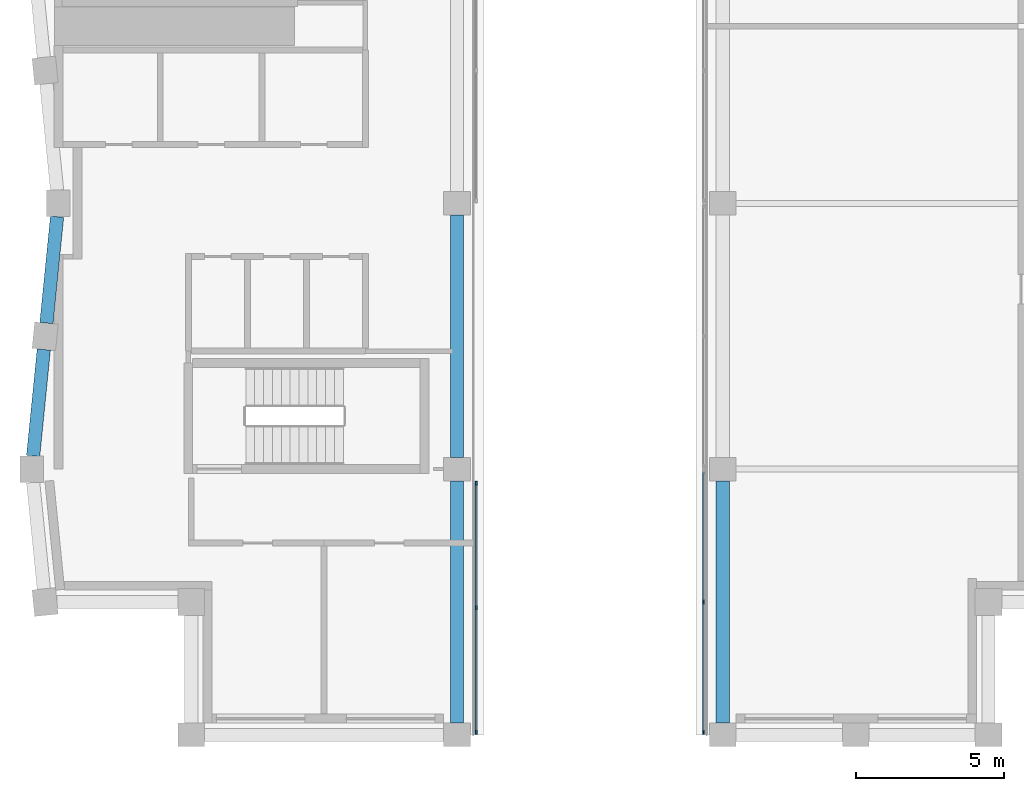
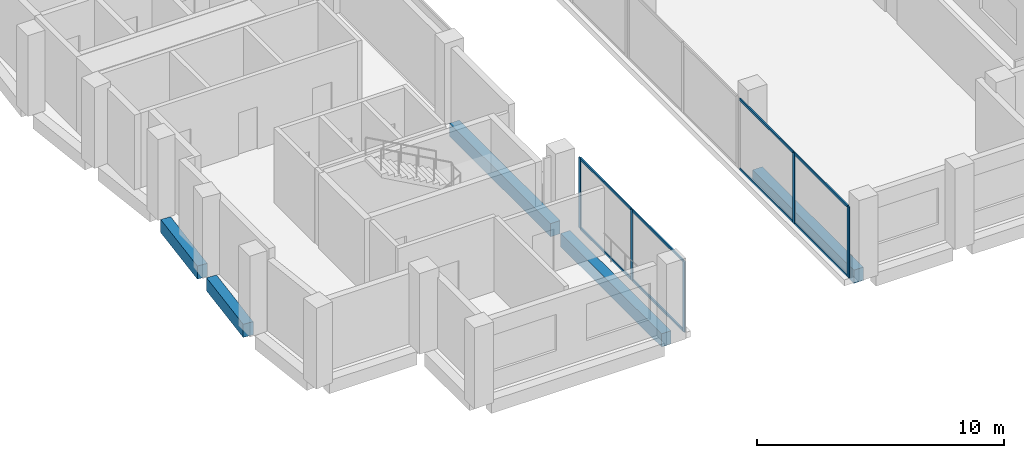
# One storey, part 2 of 9: 13 members, 5 beams, 2 elements without a shape of their own.
"""IFC4 building model written with IfcOpenShell, lengths in metres."""

from ifc_helpers import new_model, si_unit, direction, frame, origin, origin_2d, place, context, subcontext, project, spatial, rectangle, extrude, material, material_profile, profile_set, type_object, element, aggregate, save


model = new_model("IFC4")

# Units and contexts
model_context = context("Model", 3, precision=1e-05, world=origin(), true_north=direction((0.0, 1.0)))
body_context = subcontext(model_context, "Body", "Model", "MODEL_VIEW")
ifc_project = project(units=[si_unit("LENGTHUNIT", "METRE"), si_unit("AREAUNIT", "SQUARE_METRE"), si_unit("VOLUMEUNIT", "CUBIC_METRE"), si_unit("PLANEANGLEUNIT", "RADIAN"), si_unit("MASSUNIT", "GRAM", prefix="KILO")], contexts=[model_context])

# Site, building, storey
site_placement = place(None, origin())
site = spatial("IfcSite", under=ifc_project, at=site_placement, CompositionType="ELEMENT")
building_placement = place(site_placement, origin())
building = spatial("IfcBuilding", under=site, at=building_placement, Name="Brondeck Convention Tower", CompositionType="ELEMENT")
storey_placement = place(building_placement, frame((0.0, 0.0, 290.800048828125)))
storey = spatial("IfcBuildingStorey", under=building, at=storey_placement, Name="L72", CompositionType="ELEMENT", Elevation=290.800048828125)

# Curtain wall, members
ifc_material_1 = material(Name="Aluminium, bronze anodised", Category="aluminium")
curtain_wall_type = type_object("IfcCurtainWallType", Name="Crown screen curtain wall", PredefinedType="NOTDEFINED", material=ifc_material_1)
curtain_wall_1_placement = place(storey_placement, origin())
curtain_wall_1 = element("IfcCurtainWall", 1, at=curtain_wall_1_placement, inside=storey, type_object=curtain_wall_type, Name="ENV-CW4-L72-K1-SLOT-W-00-2", PredefinedType="NOTDEFINED")
ifc_material_profile_1 = material_profile(ifc_material_1, rectangle(XDim=0.06005859375, YDim=0.139892578125, at=origin_2d()), Name="CW4 mullion")
ifc_profile_set_1 = profile_set([ifc_material_profile_1], Name="Aluminium, bronze anodised")
member_type_1 = type_object("IfcMemberType", Name="CW4 mullion", PredefinedType="MULLION", material=ifc_profile_set_1)
member_1_placement = place(storey_placement, frame((14.14990234375, 35.52001953125, 0.0), z_axis=(0.0, 0.0, 1.0), x_axis=(1.0, 0.0, 0.0)))
member_1 = element("IfcMember", 2, at=member_1_placement, type_object=member_type_1, Name="CW4 mullion 1", PredefinedType="MULLION", context=body_context, shape_type="SweptSolid", body=[
    extrude(rectangle(XDim=0.06005859375, YDim=0.139892578125, at=origin_2d()), origin(), (0.0, 0.0, 1.0), 3.5),
])
member_2_placement = place(storey_placement, frame((14.14990234375, 31.304931640625, 0.0), z_axis=(0.0, 0.0, 1.0), x_axis=(1.0, 0.0, 0.0)))
member_2 = element("IfcMember", 3, at=member_2_placement, type_object=member_type_1, Name="CW4 mullion 2", PredefinedType="MULLION", context=body_context, shape_type="SweptSolid", body=[
    extrude(rectangle(XDim=0.06005859375, YDim=0.139892578125, at=origin_2d()), origin(), (0.0, 0.0, 1.0), 3.5),
])
member_3_placement = place(storey_placement, frame((14.14990234375, 27.090087890625, 0.0), z_axis=(0.0, 0.0, 1.0), x_axis=(1.0, 0.0, 0.0)))
member_3 = element("IfcMember", 4, at=member_3_placement, type_object=member_type_1, Name="CW4 mullion 3", PredefinedType="MULLION", context=body_context, shape_type="SweptSolid", body=[
    extrude(rectangle(XDim=0.06005859375, YDim=0.139892578125, at=origin_2d()), origin(), (0.0, 0.0, 1.0), 3.5),
])

curtain_wall_2_placement = place(storey_placement, origin())
curtain_wall_2 = element("IfcCurtainWall", 5, at=curtain_wall_2_placement, inside=storey, type_object=curtain_wall_type, Name="ENV-CW4-L72-K2-SLOT-E-07-1", PredefinedType="NOTDEFINED")
member_4_placement = place(storey_placement, frame((21.85009765625, 27.090087890625, 0.0), z_axis=(0.0, 0.0, 1.0), x_axis=(-1.0, 0.0, 0.0)))
member_4 = element("IfcMember", 6, at=member_4_placement, type_object=member_type_1, Name="CW4 mullion 1", PredefinedType="MULLION", context=body_context, shape_type="SweptSolid", body=[
    extrude(rectangle(XDim=0.06005859375, YDim=0.139892578125, at=origin_2d()), origin(), (0.0, 0.0, 1.0), 3.5),
])
member_5_placement = place(storey_placement, frame((21.85009765625, 31.5, 0.0), z_axis=(0.0, 0.0, 1.0), x_axis=(-1.0, 0.0, 0.0)))
member_5 = element("IfcMember", 7, at=member_5_placement, type_object=member_type_1, Name="CW4 mullion 2", PredefinedType="MULLION", context=body_context, shape_type="SweptSolid", body=[
    extrude(rectangle(XDim=0.06005859375, YDim=0.139892578125, at=origin_2d()), origin(), (0.0, 0.0, 1.0), 3.5),
])

# Member
ifc_material_profile_2 = material_profile(ifc_material_1, rectangle(XDim=0.06005859375, YDim=0.1201171875, at=origin_2d()), Name="CW4 transom")
ifc_profile_set_2 = profile_set([ifc_material_profile_2], Name="Aluminium, bronze anodised")
member_type_2 = type_object("IfcMemberType", Name="CW4 transom", PredefinedType="USERDEFINED", material=ifc_profile_set_2)
member_6_placement = place(storey_placement, frame((14.14990234375, 35.489990234375, 0.030029296875), z_axis=(0.0, -1.0, 0.0), x_axis=(1.0, 0.0, 0.0)))
member_6 = element("IfcMember", 8, at=member_6_placement, type_object=member_type_2, Name="CW4 transom 1.1", ObjectType="TRANSOM", PredefinedType="USERDEFINED", context=body_context, shape_type="SweptSolid", body=[
    extrude(rectangle(XDim=0.06005859375, YDim=0.1201171875, at=origin_2d()), origin(), (0.0, 0.0, 1.0), 4.155029296875),
])

member_7_placement = place(storey_placement, frame((14.14990234375, 35.489990234375, 3.469970703125), z_axis=(0.0, -1.0, 0.0), x_axis=(1.0, 0.0, 0.0)))
member_7 = element("IfcMember", 9, at=member_7_placement, type_object=member_type_2, Name="CW4 transom 1.2", ObjectType="TRANSOM", PredefinedType="USERDEFINED", context=body_context, shape_type="SweptSolid", body=[
    extrude(rectangle(XDim=0.06005859375, YDim=0.1201171875, at=origin_2d()), origin(), (0.0, 0.0, 1.0), 4.155029296875),
])

member_8_placement = place(storey_placement, frame((14.14990234375, 31.27490234375, 0.030029296875), z_axis=(0.0, -1.0, 0.0), x_axis=(1.0, 0.0, 0.0)))
member_8 = element("IfcMember", 10, at=member_8_placement, type_object=member_type_2, Name="CW4 transom 2.1", ObjectType="TRANSOM", PredefinedType="USERDEFINED", context=body_context, shape_type="SweptSolid", body=[
    extrude(rectangle(XDim=0.06005859375, YDim=0.1201171875, at=origin_2d()), origin(), (0.0, 0.0, 1.0), 4.15478515625),
])

member_9_placement = place(storey_placement, frame((14.14990234375, 31.27490234375, 3.469970703125), z_axis=(0.0, -1.0, 0.0), x_axis=(1.0, 0.0, 0.0)))
member_9 = element("IfcMember", 11, at=member_9_placement, type_object=member_type_2, Name="CW4 transom 2.2", ObjectType="TRANSOM", PredefinedType="USERDEFINED", context=body_context, shape_type="SweptSolid", body=[
    extrude(rectangle(XDim=0.06005859375, YDim=0.1201171875, at=origin_2d()), origin(), (0.0, 0.0, 1.0), 4.15478515625),
])

aggregate(curtain_wall_1, [member_1, member_2, member_3, member_6, member_7, member_8, member_9])

member_10_placement = place(storey_placement, frame((21.85009765625, 27.1201171875, 0.030029296875), z_axis=(0.0, 1.0, 0.0), x_axis=(-1.0, 0.0, 0.0)))
member_10 = element("IfcMember", 12, at=member_10_placement, type_object=member_type_2, Name="CW4 transom 1.1", ObjectType="TRANSOM", PredefinedType="USERDEFINED", context=body_context, shape_type="SweptSolid", body=[
    extrude(rectangle(XDim=0.06005859375, YDim=0.1201171875, at=origin_2d()), origin(), (0.0, 0.0, 1.0), 4.349853515625),
])

member_11_placement = place(storey_placement, frame((21.85009765625, 27.1201171875, 3.469970703125), z_axis=(0.0, 1.0, 0.0), x_axis=(-1.0, 0.0, 0.0)))
member_11 = element("IfcMember", 13, at=member_11_placement, type_object=member_type_2, Name="CW4 transom 1.2", ObjectType="TRANSOM", PredefinedType="USERDEFINED", context=body_context, shape_type="SweptSolid", body=[
    extrude(rectangle(XDim=0.06005859375, YDim=0.1201171875, at=origin_2d()), origin(), (0.0, 0.0, 1.0), 4.349853515625),
])

member_12_placement = place(storey_placement, frame((21.85009765625, 31.530029296875, 0.030029296875), z_axis=(0.0, 1.0, 0.0), x_axis=(-1.0, 0.0, 0.0)))
member_12 = element("IfcMember", 14, at=member_12_placement, type_object=member_type_2, Name="CW4 transom 2.1", ObjectType="TRANSOM", PredefinedType="USERDEFINED", context=body_context, shape_type="SweptSolid", body=[
    extrude(rectangle(XDim=0.06005859375, YDim=0.1201171875, at=origin_2d()), origin(), (0.0, 0.0, 1.0), 4.349853515625),
])

member_13_placement = place(storey_placement, frame((21.85009765625, 31.530029296875, 3.469970703125), z_axis=(0.0, 1.0, 0.0), x_axis=(-1.0, 0.0, 0.0)))
member_13 = element("IfcMember", 15, at=member_13_placement, type_object=member_type_2, Name="CW4 transom 2.2", ObjectType="TRANSOM", PredefinedType="USERDEFINED", context=body_context, shape_type="SweptSolid", body=[
    extrude(rectangle(XDim=0.06005859375, YDim=0.1201171875, at=origin_2d()), origin(), (0.0, 0.0, 1.0), 4.349853515625),
])

aggregate(curtain_wall_2, [member_4, member_5, member_10, member_11, member_12, member_13])

# Beams
ifc_material_2 = material(Name="Concrete C50/60", Category="concrete")
ifc_material_profile_3 = material_profile(ifc_material_2, rectangle(XDim=0.449951171875, YDim=0.64990234375, at=origin_2d()), Name="Precast spandrel 450x650 Concrete C50/60")
ifc_profile_set_3 = profile_set([ifc_material_profile_3], Name="Concrete C50/60")
beam_type = type_object("IfcBeamType", Name="Precast spandrel 450x650 Concrete C50/60", PredefinedType="SPANDREL", material=ifc_profile_set_3)
for number, where, z_axis, x_axis, name in (
    (16, (13.5, 27.39990234375, -0.324951171875), (0.0, 1.0, 0.0), (-1.0, 0.0, 0.0), "STR-SP-L72K1-002"),
    (17, (13.5, 36.39990234375, -0.324951171875), (0.0, 1.0, 0.0), (-1.0, 0.0, 0.0), "STR-SP-L72K1-003"),
):
    element("IfcBeam", number, at=place(storey_placement, frame(where, z_axis=z_axis, x_axis=x_axis)), inside=storey, type_object=beam_type, Name=name, PredefinedType="SPANDREL", context=body_context, shape_type="SweptSolid", body=[
        extrude(rectangle(XDim=0.449951171875, YDim=0.64990234375, at=origin_2d()), origin(), (0.0, 0.0, 1.0), 8.2001953125),
    ])
for number, where, z_axis, x_axis, name in (
    (18, (-0.044921875, 44.550048828125, -0.324951171875), (-0.099537103649, -0.995033851182, 0.0), (0.995033851182, -0.099537103649, 0.0), "STR-SP-L72K1-013"),
    (19, (-0.494873046875, 40.05224609375, -0.324951171875), (-0.099470334057, -0.995040528141, 0.0), (0.995040528141, -0.099470334057, 0.0), "STR-SP-L72K1-014"),
):
    element("IfcBeam", number, at=place(storey_placement, frame(where, z_axis=z_axis, x_axis=x_axis)), inside=storey, type_object=beam_type, Name=name, PredefinedType="SPANDREL", context=body_context, shape_type="SweptSolid", body=[
        extrude(rectangle(XDim=0.449951171875, YDim=0.64990234375, at=origin_2d()), origin(), (0.0, 0.0, 1.0), 3.620361328125),
    ])
beam_placement = place(storey_placement, frame((22.5, 35.60009765625, -0.324951171875), z_axis=(0.0, -1.0, 0.0), x_axis=(1.0, 0.0, 0.0)))
element("IfcBeam", 20, at=beam_placement, inside=storey, type_object=beam_type, Name="STR-SP-L72K2-017", PredefinedType="SPANDREL", context=body_context, shape_type="SweptSolid", body=[
    extrude(rectangle(XDim=0.449951171875, YDim=0.64990234375, at=origin_2d()), origin(), (0.0, 0.0, 1.0), 8.2001953125),
])

save(model, "model.ifc")
